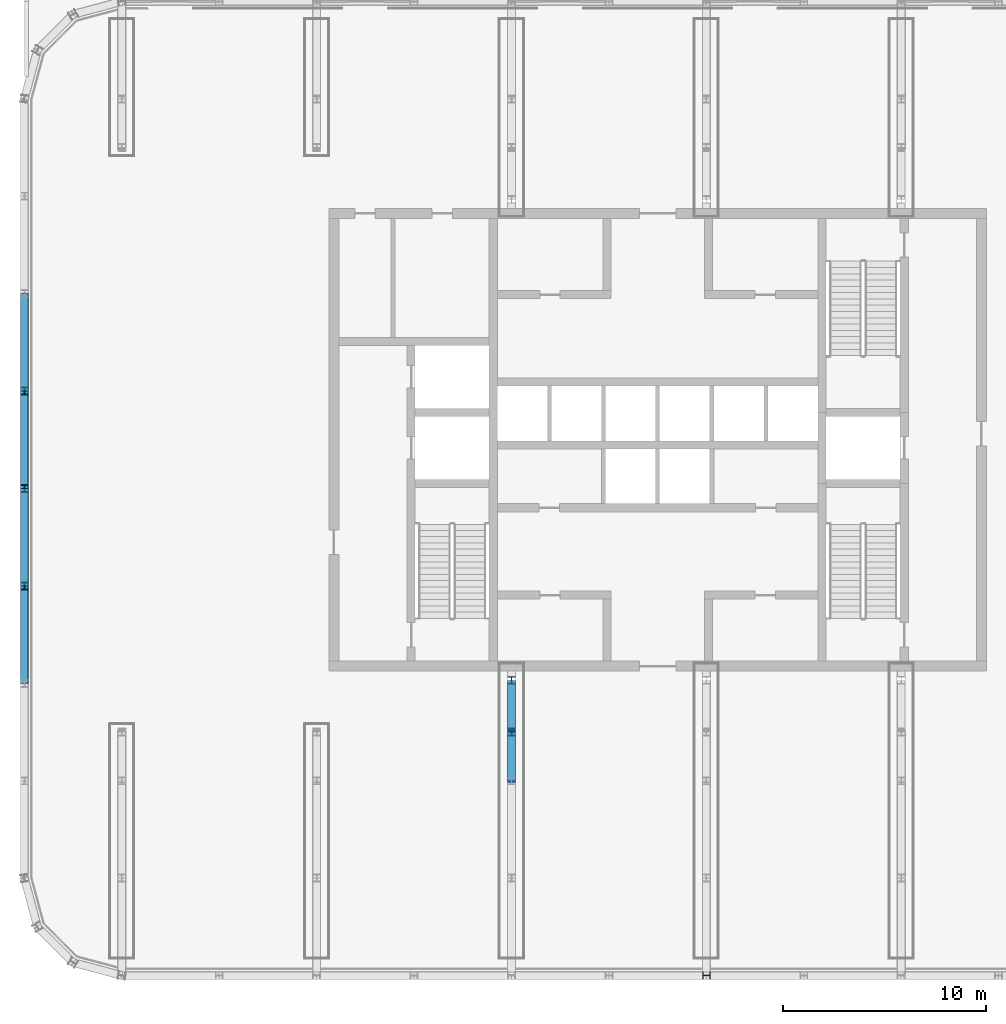
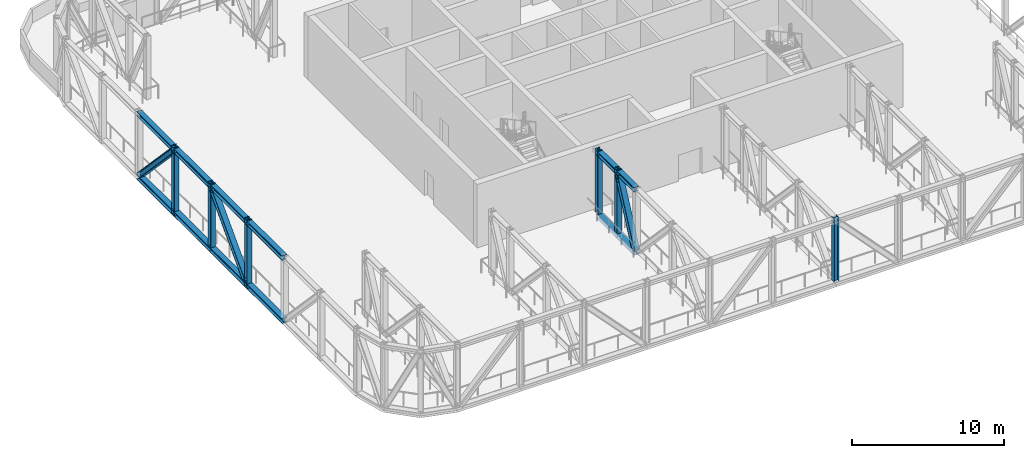
# One storey, part 2 of 16: 21 members.
"""IFC4 building model written with IfcOpenShell, lengths in metres."""

from ifc_helpers import new_model, si_unit, direction, frame, origin, origin_2d, place, context, subcontext, project, spatial, i_section, extrude, material, material_profile, profile_set, type_object, element, save


model = new_model("IFC4")

# Units and contexts
model_context = context("Model", 3, precision=1e-05, world=origin(), true_north=direction((0.0, 1.0)))
body_context = subcontext(model_context, "Body", "Model", "MODEL_VIEW")
ifc_project = project(units=[si_unit("LENGTHUNIT", "METRE"), si_unit("AREAUNIT", "SQUARE_METRE"), si_unit("VOLUMEUNIT", "CUBIC_METRE"), si_unit("PLANEANGLEUNIT", "RADIAN"), si_unit("MASSUNIT", "GRAM", prefix="KILO")], contexts=[model_context])

# Site, building, storey
site_placement = place(None, origin())
site = spatial("IfcSite", under=ifc_project, at=site_placement, CompositionType="ELEMENT")
building_placement = place(site_placement, origin())
building = spatial("IfcBuilding", under=site, at=building_placement, Name="Madar Terraces", CompositionType="ELEMENT")
storey_placement = place(building_placement, frame((0.0, 0.0, 263.199951171875)))
storey = spatial("IfcBuildingStorey", under=building, at=storey_placement, Name="L69", CompositionType="ELEMENT", Elevation=263.199951171875)

# Members
ifc_material_1 = material(Name="Steel ASTM A992 Grade 50", Category="steel")
ifc_material_profile_1 = material_profile(ifc_material_1, i_section(OverallWidth=0.396240234375, OverallDepth=0.381103515625, WebThickness=0.01904296875, FlangeThickness=0.0302734375, at=origin_2d()), Name="W14x159")
ifc_profile_set_1 = profile_set([ifc_material_profile_1], Name="Steel ASTM A992 Grade 50")
member_type_1 = type_object("IfcMemberType", Name="BC9 W14x159", PredefinedType="CHORD", material=ifc_profile_set_1)
for number, where, z_axis, x_axis, name in (
    (1, (0.0, 33.60009765625, -0.2294921875), (0.0, -1.0, 0.0), (1.0, 0.0, 0.0), "Exoskeleton truss ring bottom chord BC9"),
    (2, (0.0, 28.800048828125, -0.2294921875), (0.0, -1.0, 0.0), (1.0, 0.0, 0.0), "Exoskeleton truss ring bottom chord BC9"),
    (3, (0.0, 24.0, -0.2294921875), (0.0, -1.0, 0.0), (1.0, 0.0, 0.0), "Exoskeleton truss ring bottom chord BC9"),
    (4, (0.0, 19.199951171875, -0.2294921875), (0.0, -1.0, 0.0), (1.0, 0.0, 0.0), "Exoskeleton truss ring bottom chord BC9"),
):
    element("IfcMember", number, at=place(storey_placement, frame(where, z_axis=z_axis, x_axis=x_axis)), inside=storey, type_object=member_type_1, Name=name, PredefinedType="CHORD", context=body_context, shape_type="SweptSolid", body=[
        extrude(i_section(OverallWidth=0.396240234375, OverallDepth=0.381103515625, WebThickness=0.01904296875, FlangeThickness=0.0302734375, at=origin_2d()), origin(), (0.0, 0.0, 1.0), 4.800048828125),
    ])
member_1_placement = place(storey_placement, frame((24.0, 9.60009765625, -0.2294921875), z_axis=(0.0, 1.0, 0.0), x_axis=(-1.0, 0.0, 0.0)))
element("IfcMember", 5, at=member_1_placement, inside=storey, type_object=member_type_1, Name="Exoskeleton truss cross S24 bottom chord BC9", PredefinedType="CHORD", context=body_context, shape_type="SweptSolid", body=[
    extrude(i_section(OverallWidth=0.396240234375, OverallDepth=0.381103515625, WebThickness=0.01904296875, FlangeThickness=0.0302734375, at=origin_2d()), origin(), (0.0, 0.0, 1.0), 2.39990234375),
])
member_2_placement = place(storey_placement, frame((24.0, 12.0, -0.2294921875), z_axis=(0.0, 1.0, 0.0), x_axis=(-1.0, 0.0, 0.0)))
element("IfcMember", 6, at=member_2_placement, inside=storey, type_object=member_type_1, Name="Exoskeleton truss cross S24 bottom chord BC9", PredefinedType="CHORD", context=body_context, shape_type="SweptSolid", body=[
    extrude(i_section(OverallWidth=0.396240234375, OverallDepth=0.381103515625, WebThickness=0.01904296875, FlangeThickness=0.0302734375, at=origin_2d()), origin(), (0.0, 0.0, 1.0), 2.550048828125),
])
ifc_material_2 = material(Name="Steel ASTM A992 Grade 50", Category="steel")
ifc_material_profile_2 = material_profile(ifc_material_2, i_section(OverallWidth=0.373291015625, OverallDepth=0.373291015625, WebThickness=0.016357421875, FlangeThickness=0.026123046875, at=origin_2d()), Name="W14x132")
ifc_profile_set_2 = profile_set([ifc_material_profile_2], Name="Steel ASTM A992 Grade 50")
member_type_2 = type_object("IfcMemberType", Name="TC9 W14x132", PredefinedType="CHORD", material=ifc_profile_set_2)
for number, where, z_axis, x_axis, name in (
    (7, (0.0, 33.60009765625, 4.84326171875), (0.0, -1.0, 0.0), (1.0, 0.0, 0.0), "Exoskeleton truss ring top chord TC9"),
    (8, (0.0, 28.800048828125, 4.84326171875), (0.0, -1.0, 0.0), (1.0, 0.0, 0.0), "Exoskeleton truss ring top chord TC9"),
    (9, (0.0, 24.0, 4.84326171875), (0.0, -1.0, 0.0), (1.0, 0.0, 0.0), "Exoskeleton truss ring top chord TC9"),
    (10, (0.0, 19.199951171875, 4.84326171875), (0.0, -1.0, 0.0), (1.0, 0.0, 0.0), "Exoskeleton truss ring top chord TC9"),
):
    element("IfcMember", number, at=place(storey_placement, frame(where, z_axis=z_axis, x_axis=x_axis)), inside=storey, type_object=member_type_2, Name=name, PredefinedType="CHORD", context=body_context, shape_type="SweptSolid", body=[
        extrude(i_section(OverallWidth=0.373291015625, OverallDepth=0.373291015625, WebThickness=0.016357421875, FlangeThickness=0.026123046875, at=origin_2d()), origin(), (0.0, 0.0, 1.0), 4.800048828125),
    ])
member_3_placement = place(storey_placement, frame((24.0, 9.60009765625, 4.84326171875), z_axis=(0.0, 1.0, 0.0), x_axis=(-1.0, 0.0, 0.0)))
element("IfcMember", 11, at=member_3_placement, inside=storey, type_object=member_type_2, Name="Exoskeleton truss cross S24 top chord TC9", PredefinedType="CHORD", context=body_context, shape_type="SweptSolid", body=[
    extrude(i_section(OverallWidth=0.373291015625, OverallDepth=0.373291015625, WebThickness=0.016357421875, FlangeThickness=0.026123046875, at=origin_2d()), origin(), (0.0, 0.0, 1.0), 2.39990234375),
])
member_4_placement = place(storey_placement, frame((24.0, 12.0, 4.84326171875), z_axis=(0.0, 1.0, 0.0), x_axis=(-1.0, 0.0, 0.0)))
element("IfcMember", 12, at=member_4_placement, inside=storey, type_object=member_type_2, Name="Exoskeleton truss cross S24 top chord TC9", PredefinedType="CHORD", context=body_context, shape_type="SweptSolid", body=[
    extrude(i_section(OverallWidth=0.373291015625, OverallDepth=0.373291015625, WebThickness=0.016357421875, FlangeThickness=0.026123046875, at=origin_2d()), origin(), (0.0, 0.0, 1.0), 2.550048828125),
])
ifc_material_3 = material(Name="Steel ASTM A992 Grade 50", Category="steel")
ifc_material_profile_3 = material_profile(ifc_material_3, i_section(OverallWidth=0.4013671875, OverallDepth=0.398681640625, WebThickness=0.02490234375, FlangeThickness=0.03955078125, at=origin_2d()), Name="W14x211")
ifc_profile_set_3 = profile_set([ifc_material_profile_3], Name="Steel ASTM A992 Grade 50")
member_type_3 = type_object("IfcMemberType", Name="TD9 W14x211", PredefinedType="BRACE", material=ifc_profile_set_3)
for number, where, z_axis, x_axis, name in (
    (13, (0.0, 33.419677734375, -0.0390625), (0.0, -0.687293038858, 0.726380257673), (1.0, 0.0, 0.0), "Exoskeleton truss ring diagonal TD9"),
    (14, (0.0, 23.8232421875, 4.65673828125), (0.0, -0.687273111974, -0.726399111754), (1.0, 0.0, 0.0), "Exoskeleton truss ring diagonal TD9"),
):
    element("IfcMember", number, at=place(storey_placement, frame(where, z_axis=z_axis, x_axis=x_axis)), inside=storey, type_object=member_type_3, Name=name, PredefinedType="BRACE", context=body_context, shape_type="SweptSolid", body=[
        extrude(i_section(OverallWidth=0.4013671875, OverallDepth=0.398681640625, WebThickness=0.02490234375, FlangeThickness=0.03955078125, at=origin_2d()), origin(), (0.0, 0.0, 1.0), 6.464599609375),
    ])
member_5_placement = place(storey_placement, frame((24.0, 9.690185546875, -0.0390625), z_axis=(0.0, 0.427631731749, 0.903953041923), x_axis=(-1.0, 0.0, 0.0)))
element("IfcMember", 15, at=member_5_placement, inside=storey, type_object=member_type_3, Name="Exoskeleton truss cross S24 diagonal TD9", PredefinedType="BRACE", context=body_context, shape_type="SweptSolid", body=[
    extrude(i_section(OverallWidth=0.4013671875, OverallDepth=0.398681640625, WebThickness=0.02490234375, FlangeThickness=0.03955078125, at=origin_2d()), origin(), (0.0, 0.0, 1.0), 5.19482421875),
])
ifc_material_4 = material(Name="Steel ASTM A992 Grade 50", Category="steel")
ifc_material_profile_4 = material_profile(ifc_material_4, i_section(OverallWidth=0.370849609375, OverallDepth=0.36328125, WebThickness=0.013427734375, FlangeThickness=0.021728515625, at=origin_2d()), Name="W14x109")
ifc_profile_set_4 = profile_set([ifc_material_profile_4], Name="Steel ASTM A992 Grade 50")
member_type_4 = type_object("IfcMemberType", Name="TV9 W14x109", PredefinedType="POST", material=ifc_profile_set_4)
member_6_placement = place(storey_placement, frame((33.60009765625, 0.0, -0.0390625), z_axis=(0.0, 0.0, 1.0), x_axis=(0.0, 1.0, 0.0)))
element("IfcMember", 16, at=member_6_placement, inside=storey, type_object=member_type_4, Name="Exoskeleton truss ring post TV9", PredefinedType="POST", context=body_context, shape_type="SweptSolid", body=[
    extrude(i_section(OverallWidth=0.370849609375, OverallDepth=0.36328125, WebThickness=0.013427734375, FlangeThickness=0.021728515625, at=origin_2d()), origin(), (0.0, 0.0, 1.0), 5.13916015625),
])
member_7_placement = place(storey_placement, frame((0.0, 28.800048828125, -0.419921875), z_axis=(0.0, 0.0, 1.0), x_axis=(1.0, 0.0, 0.0)))
element("IfcMember", 17, at=member_7_placement, inside=storey, type_object=member_type_4, Name="Exoskeleton truss ring post TV9", PredefinedType="POST", context=body_context, shape_type="SweptSolid", body=[
    extrude(i_section(OverallWidth=0.370849609375, OverallDepth=0.36328125, WebThickness=0.013427734375, FlangeThickness=0.021728515625, at=origin_2d()), origin(), (0.0, 0.0, 1.0), 5.52001953125),
])
member_8_placement = place(storey_placement, frame((0.0, 24.0, -0.0390625), z_axis=(0.0, 0.0, 1.0), x_axis=(1.0, 0.0, 0.0)))
element("IfcMember", 18, at=member_8_placement, inside=storey, type_object=member_type_4, Name="Exoskeleton truss ring post TV9", PredefinedType="POST", context=body_context, shape_type="SweptSolid", body=[
    extrude(i_section(OverallWidth=0.370849609375, OverallDepth=0.36328125, WebThickness=0.013427734375, FlangeThickness=0.021728515625, at=origin_2d()), origin(), (0.0, 0.0, 1.0), 5.13916015625),
])
member_9_placement = place(storey_placement, frame((0.0, 19.199951171875, -0.419921875), z_axis=(0.0, 0.0, 1.0), x_axis=(1.0, 0.0, 0.0)))
element("IfcMember", 19, at=member_9_placement, inside=storey, type_object=member_type_4, Name="Exoskeleton truss ring post TV9", PredefinedType="POST", context=body_context, shape_type="SweptSolid", body=[
    extrude(i_section(OverallWidth=0.370849609375, OverallDepth=0.36328125, WebThickness=0.013427734375, FlangeThickness=0.021728515625, at=origin_2d()), origin(), (0.0, 0.0, 1.0), 5.52001953125),
])
for number, where, z_axis, x_axis, name in (
    (20, (24.0, 12.0, -0.0390625), (0.0, 0.0, 1.0), (-1.0, 0.0, 0.0), "Exoskeleton truss cross S24 post TV9"),
    (21, (24.0, 14.550048828125, -0.0390625), (0.0, 0.0, 1.0), (-1.0, 0.0, 0.0), "Exoskeleton truss cross S24 post TV9"),
):
    element("IfcMember", number, at=place(storey_placement, frame(where, z_axis=z_axis, x_axis=x_axis)), inside=storey, type_object=member_type_4, Name=name, PredefinedType="POST", context=body_context, shape_type="SweptSolid", body=[
        extrude(i_section(OverallWidth=0.370849609375, OverallDepth=0.36328125, WebThickness=0.013427734375, FlangeThickness=0.021728515625, at=origin_2d()), origin(), (0.0, 0.0, 1.0), 5.13916015625),
    ])

save(model, "model.ifc")
